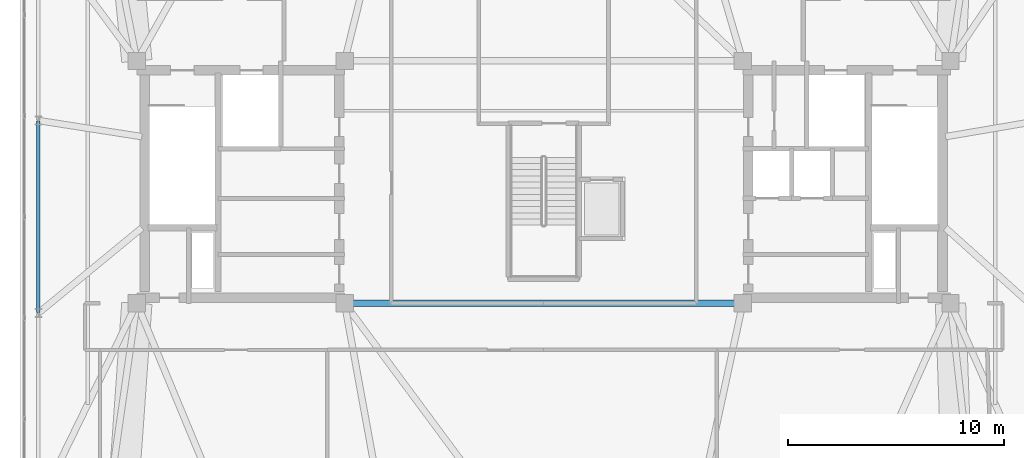
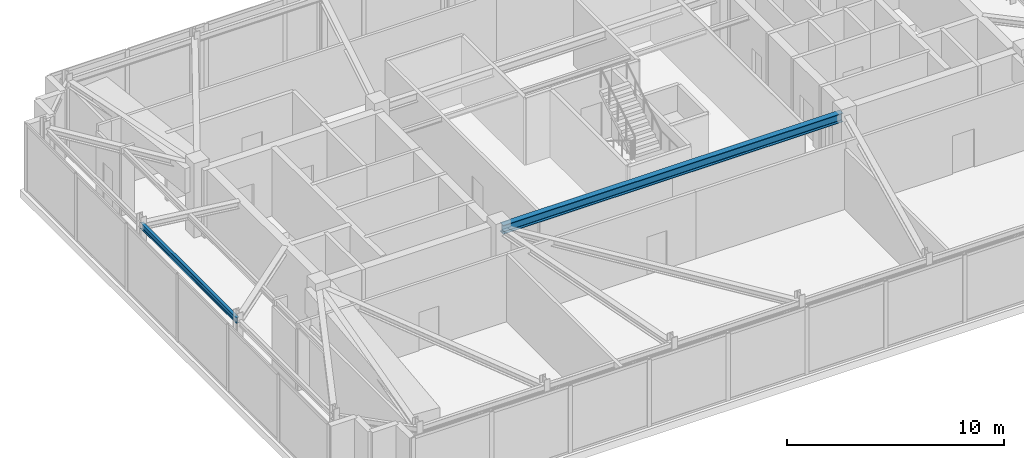
# One storey, part 9 of 27: 2 beams.
"""IFC4 building model written with IfcOpenShell, lengths in metres."""

import ifcopenshell
import ifcopenshell.guid

model = None  # the IFC model being written
_history = None  # IfcOwnerHistory: only IFC2X3 demands one
_inside = {}  # id of a spatial element -> (the spatial element, [elements in it])
_under = {}  # id of a project, library or spatial element -> (it, [spatial elements below it])
_declared = {}  # id of a project -> (the project, [libraries it declares])
_typed = {}  # id of a type object -> (the type object, [elements of that type])
_made_of = {}  # id of a material, layer set ... -> (it, [elements and type objects made of it])


def new_model(schema):
    """Start an empty IFC model of exactly this schema.

    Asked for "IFC4X3", IfcOpenShell would pick the latest addendum, in which some entities
    have other attributes; the version numbers below select the first issue.
    IFC2X3 requires an IfcOwnerHistory on every rooted entity: one is made here for all.
    """
    global model, _history
    if schema == "IFC4X3":
        model = ifcopenshell.file(schema_version=(4, 3, 0, 0))
    else:
        model = ifcopenshell.file(schema=schema)
    _inside.clear()
    _under.clear()
    _declared.clear()
    _typed.clear()
    _made_of.clear()
    _history = None
    if model.schema == "IFC2X3":
        org = make("IfcOrganization", Name="unknown")
        user = make(
            "IfcPersonAndOrganization",
            ThePerson=make("IfcPerson", FamilyName="unknown"),
            TheOrganization=org,
        )
        app = make(
            "IfcApplication",
            ApplicationDeveloper=org,
            Version="unknown",
            ApplicationFullName="unknown",
            ApplicationIdentifier="unknown",
        )
        _history = make(
            "IfcOwnerHistory",
            OwningUser=user,
            OwningApplication=app,
            ChangeAction="ADDED",
            CreationDate=0,
        )
    return model


def make(cls, **values):
    """One entity of the class cls with the attributes given. An attribute that is None is left unset."""
    return model.create_entity(
        cls, **{name: value for name, value in values.items() if value is not None}
    )


def rooted(cls, **values):
    """An entity with a GlobalId (a new one), such as an element, a storey or a relation."""
    return make(cls, GlobalId=ifcopenshell.guid.new(), OwnerHistory=_history, **values)


def si_unit(unit_type, name, prefix=None):
    """IfcSIUnit, for example si_unit("LENGTHUNIT", "METRE", prefix="MILLI")."""
    return make("IfcSIUnit", UnitType=unit_type, Prefix=prefix, Name=name)


def assignment(units):
    """IfcUnitAssignment: the units of a project."""
    return None if units is None else make("IfcUnitAssignment", Units=units)


def point(xyz):
    """IfcCartesianPoint."""
    return None if xyz is None else make("IfcCartesianPoint", Coordinates=xyz)


def direction(xyz):
    """IfcDirection."""
    return None if xyz is None else make("IfcDirection", DirectionRatios=xyz)


def frame(location, z_axis=None, x_axis=None):
    """IfcAxis2Placement3D, a coordinate frame: its origin and axes. An axis left out is left unset."""
    return make(
        "IfcAxis2Placement3D",
        Location=point(location),
        Axis=direction(z_axis),
        RefDirection=direction(x_axis),
    )


def frame_2d(location, x_axis=None):
    """IfcAxis2Placement2D, a coordinate frame in the plane: its origin and x axis."""
    return make(
        "IfcAxis2Placement2D", Location=point(location), RefDirection=direction(x_axis)
    )


def origin():
    """The frame at (0, 0, 0) with its axes left unset."""
    return frame((0.0, 0.0, 0.0))


def origin_2d():
    """The frame at (0, 0) in the plane with its x axis left unset."""
    return frame_2d((0.0, 0.0))


def place(relative_to, where):
    """IfcLocalPlacement: puts the frame where relative to a parent placement (None: the world)."""
    return make(
        "IfcLocalPlacement", PlacementRelTo=relative_to, RelativePlacement=where
    )


def context(
    kind, dimensions, precision=None, world=None, true_north=None, identifier=None
):
    """IfcGeometricRepresentationContext, for example the 3D "Model" context."""
    return make(
        "IfcGeometricRepresentationContext",
        ContextIdentifier=identifier,
        ContextType=kind,
        CoordinateSpaceDimension=dimensions,
        Precision=precision,
        WorldCoordinateSystem=world,
        TrueNorth=true_north,
    )


def subcontext(parent, identifier, kind, view, scale=None):
    """IfcGeometricRepresentationSubContext, for example "Body" below "Model"."""
    return make(
        "IfcGeometricRepresentationSubContext",
        ContextIdentifier=identifier,
        ContextType=kind,
        ParentContext=parent,
        TargetScale=scale,
        TargetView=view,
    )


def project(units=None, contexts=None):
    """IfcProject with its units and contexts."""
    return rooted(
        "IfcProject",
        Name="project",
        RepresentationContexts=contexts,
        UnitsInContext=assignment(units),
    )


def spatial(cls, under=None, at=None, **own):
    """A site, building, storey or space (cls), placed at a placement, below another one or the project."""
    s = rooted(cls, ObjectPlacement=at, **own)
    if under is not None:
        _under.setdefault(under.id(), (under, []))[1].append(s)
    return s


def profile(cls, at=None, kind="AREA", **sizes):
    """A parametric profile (cls). Its sizes go by their IFC names, for example OverallWidth=200.0."""
    return make(cls, ProfileType=kind, Position=at, **sizes)


def i_section(**sizes):
    """IfcIShapeProfileDef."""
    return profile("IfcIShapeProfileDef", **sizes)


def extrude(swept, where, along, depth):
    """IfcExtrudedAreaSolid: the profile swept, set in the frame where, extruded along a direction by depth."""
    return make(
        "IfcExtrudedAreaSolid",
        SweptArea=swept,
        Position=where,
        ExtrudedDirection=direction(along),
        Depth=depth,
    )


def shape(context_of_items, identifier, shape_type, items):
    """IfcShapeRepresentation: the items that make up one representation, for example the "Body"."""
    return make(
        "IfcShapeRepresentation",
        ContextOfItems=context_of_items,
        RepresentationIdentifier=identifier,
        RepresentationType=shape_type,
        Items=items,
    )


def material(Name=None, Category=None):
    """IfcMaterial."""
    return make("IfcMaterial", Name=Name, Category=Category)


def material_profile(
    of_material, cross_section, Name=None, Category=None, Priority=None
):
    """IfcMaterialProfile: a cross section and its material."""
    return make(
        "IfcMaterialProfile",
        Name=Name,
        Material=of_material,
        Profile=cross_section,
        Priority=Priority,
        Category=Category,
    )


def profile_set(profiles, Name=None, composite=None):
    """IfcMaterialProfileSet."""
    return make(
        "IfcMaterialProfileSet",
        Name=Name,
        MaterialProfiles=profiles,
        CompositeProfile=composite,
    )


def made_of(thing, what):
    """Note that an element or type object is made of a material, layer set ...; save() writes the relation."""
    if what is not None:
        _made_of.setdefault(what.id(), (what, []))[1].append(thing)
    return thing


def type_object(cls, material=None, **own):
    """A type object (cls), such as IfcWallType, which elements share."""
    return made_of(rooted(cls, **own), material)


def element(
    cls,
    number,
    at=None,
    inside=None,
    cuts=None,
    type_object=None,
    material=None,
    context=None,
    identifier="Body",
    shape_type=None,
    held_by="IfcProductDefinitionShape",
    body=None,
    shapes=None,
    **own,
):
    """One element of the class cls, such as IfcWall. Its Tag is "e" and its number.

    at: its placement. inside: the storey or other place that contains it. cuts: it is an
    opening in that element (IfcRelVoidsElement). A single representation is given by context,
    identifier, shape_type and body (its items); several are given by shapes. held_by: the class
    of the entity that holds the representations. save() writes the other relations.
    """
    e = rooted(cls, Tag="e%d" % number, ObjectPlacement=at, **own)
    if body is not None:
        shapes = [shape(context, identifier, shape_type, body)]
    if shapes is not None:
        e.Representation = make(held_by, Representations=shapes)
    if inside is not None:
        _inside.setdefault(inside.id(), (inside, []))[1].append(e)
    if cuts is not None:
        rooted(
            "IfcRelVoidsElement", RelatingBuildingElement=cuts, RelatedOpeningElement=e
        )
    if type_object is not None:
        _typed.setdefault(type_object.id(), (type_object, []))[1].append(e)
    return made_of(e, material)


def aggregate(whole, parts):
    """IfcRelAggregates: a whole, such as a stair, and the parts it consists of."""
    return rooted("IfcRelAggregates", RelatingObject=whole, RelatedObjects=parts)


def save(model, path):
    """Write the relations noted so far, then the file.

    IfcRelAggregates (storeys below a building ...), IfcRelContainedInSpatialStructure (elements
    in a storey), IfcRelDefinesByType, IfcRelAssociatesMaterial and IfcRelDeclares: one each for
    every whole, place, type object, material and project.
    """
    for whole, parts in _under.values():
        aggregate(whole, parts)
    for where, things in _inside.values():
        rooted(
            "IfcRelContainedInSpatialStructure",
            RelatedElements=things,
            RelatingStructure=where,
        )
    for kind, things in _typed.values():
        rooted("IfcRelDefinesByType", RelatedObjects=things, RelatingType=kind)
    for what, things in _made_of.values():
        rooted("IfcRelAssociatesMaterial", RelatedObjects=things, RelatingMaterial=what)
    for by, libraries in _declared.values():
        rooted("IfcRelDeclares", RelatingContext=by, RelatedDefinitions=libraries)
    model.write(path)


model = new_model("IFC4")

# Units and contexts
model_context = context("Model", 3, precision=1e-05, world=origin(), true_north=direction((0.0, 1.0)))
body_context = subcontext(model_context, "Body", "Model", "MODEL_VIEW")
ifc_project = project(units=[si_unit("LENGTHUNIT", "METRE"), si_unit("AREAUNIT", "SQUARE_METRE"), si_unit("VOLUMEUNIT", "CUBIC_METRE"), si_unit("PLANEANGLEUNIT", "RADIAN"), si_unit("MASSUNIT", "GRAM", prefix="KILO")], contexts=[model_context])

# Site, building, storey
site_placement = place(None, origin())
site = spatial("IfcSite", under=ifc_project, at=site_placement, CompositionType="ELEMENT")
building_placement = place(site_placement, origin())
building = spatial("IfcBuilding", under=site, at=building_placement, Name="Qobustan Lattice House", CompositionType="ELEMENT")
storey_placement = place(building_placement, frame((0.0, 0.0, 266.0)))
storey = spatial("IfcBuildingStorey", under=building, at=storey_placement, Name="L75", CompositionType="ELEMENT", Elevation=266.0)

# Beams
ifc_material_1 = material(Name="Steel S355", Category="steel")
ifc_material_profile_1 = material_profile(ifc_material_1, i_section(OverallWidth=0.300048828125, OverallDepth=0.5, WebThickness=0.014404296875, FlangeThickness=0.028076171875, FilletRadius=0.027099609375, at=origin_2d()), Name="HEB500")
ifc_profile_set_1 = profile_set([ifc_material_profile_1], Name="Steel S355")
beam_type_1 = type_object("IfcBeamType", Name="BM-CG-HEB500", PredefinedType="USERDEFINED", material=ifc_profile_set_1)
beam_1_placement = place(storey_placement, frame((-9.050048828125, -5.60009765625, 3.550048828125), z_axis=(1.0, 0.0, 0.0), x_axis=(0.0, 1.0, 0.0)))
element("IfcBeam", 1, at=beam_1_placement, inside=storey, type_object=beam_type_1, Name="L75 core spine girder CG-CS", ObjectType="GIRDER", PredefinedType="USERDEFINED", context=body_context, shape_type="SweptSolid", body=[
    extrude(i_section(OverallWidth=0.300048828125, OverallDepth=0.5, WebThickness=0.014404296875, FlangeThickness=0.028076171875, FilletRadius=0.027099609375, at=origin_2d()), origin(), (0.0, 0.0, 1.0), 18.10009765625),
])
ifc_material_2 = material(Name="Steel S355", Category="steel")
ifc_material_profile_2 = material_profile(ifc_material_2, i_section(OverallWidth=0.159912109375, OverallDepth=0.330078125, WebThickness=0.007568359375, FlangeThickness=0.011474609375, FilletRadius=0.01806640625, at=origin_2d()), Name="IPE330")
ifc_profile_set_2 = profile_set([ifc_material_profile_2], Name="Steel S355")
beam_type_2 = type_object("IfcBeamType", Name="BM-SPD-IPE330", PredefinedType="SPANDREL", material=ifc_profile_set_2)
beam_2_placement = place(storey_placement, frame((-23.35009765625, 2.824951171875, 3.635009765625), z_axis=(0.0, -1.0, 0.0), x_axis=(1.0, 0.0, 0.0)))
element("IfcBeam", 2, at=beam_2_placement, inside=storey, type_object=beam_type_2, Name="L75 perimeter spandrel W2-W3", PredefinedType="SPANDREL", context=body_context, shape_type="SweptSolid", body=[
    extrude(i_section(OverallWidth=0.159912109375, OverallDepth=0.330078125, WebThickness=0.007568359375, FlangeThickness=0.011474609375, FilletRadius=0.01806640625, at=origin_2d()), origin(), (0.0, 0.0, 1.0), 8.849853515625),
])

save(model, "model.ifc")
